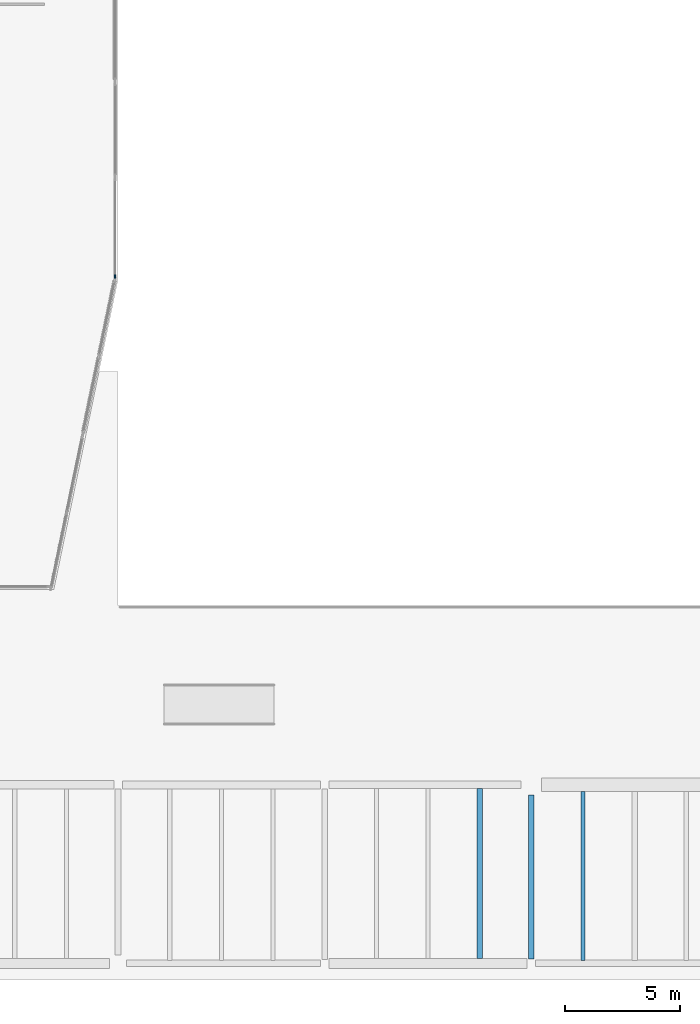
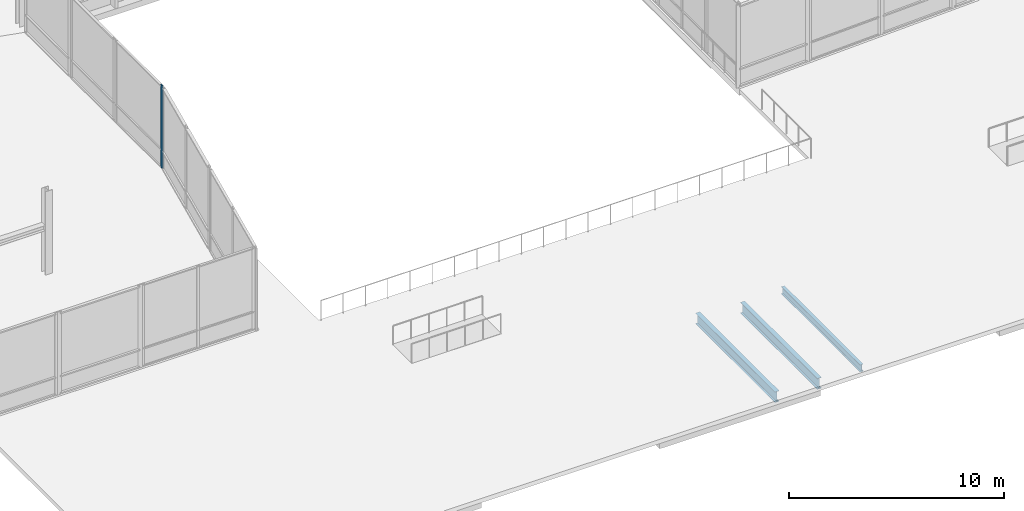
# One storey, part 19 of 88: 3 beams, 1 member, 1 element without a shape of its own.
"""IFC4 building model written with IfcOpenShell, lengths in metres."""

from ifc_helpers import new_model, si_unit, direction, frame, origin, origin_2d, place, context, subcontext, project, spatial, rectangle, i_section, extrude, material, material_profile, profile_set, type_object, element, aggregate, save


model = new_model("IFC4")

# Units and contexts
model_context = context("Model", 3, precision=1e-05, world=origin(), true_north=direction((0.0, 1.0)))
body_context = subcontext(model_context, "Body", "Model", "MODEL_VIEW")
ifc_project = project(units=[si_unit("LENGTHUNIT", "METRE"), si_unit("AREAUNIT", "SQUARE_METRE"), si_unit("VOLUMEUNIT", "CUBIC_METRE"), si_unit("PLANEANGLEUNIT", "RADIAN"), si_unit("MASSUNIT", "GRAM", prefix="KILO")], contexts=[model_context])

# Site, building, storey
site_placement = place(None, origin())
site = spatial("IfcSite", under=ifc_project, at=site_placement, CompositionType="ELEMENT")
building_placement = place(site_placement, origin())
building = spatial("IfcBuilding", under=site, at=building_placement, Name="Trimount Lyric Opera House", CompositionType="ELEMENT")
storey_placement = place(building_placement, origin())
storey = spatial("IfcBuildingStorey", under=building, at=storey_placement, Name="L00", CompositionType="ELEMENT", Elevation=0.0)

# Beams
ifc_material_1 = material(Name="Steel ASTM A992 Grade 50", Category="steel")
ifc_material_profile_1 = material_profile(ifc_material_1, i_section(OverallWidth=0.22998046875, OverallDepth=0.616943359375, WebThickness=0.01318359375, FlangeThickness=0.022216796875, FilletRadius=0.013916015625, at=origin_2d()), Name="W24X94")
ifc_profile_set_1 = profile_set([ifc_material_profile_1], Name="Steel ASTM A992 Grade 50")
beam_type_1 = type_object("IfcBeamType", Name="B-11", PredefinedType="BEAM", material=ifc_profile_set_1)
beam_1_placement = place(storey_placement, frame((36.0, 0.904052734375, -0.548583984375), z_axis=(0.0, 1.0, 0.0), x_axis=(-1.0, 0.0, 0.0)))
element("IfcBeam", 1, at=beam_1_placement, inside=storey, type_object=beam_type_1, Name="L00 girder Y-0277", PredefinedType="BEAM", context=body_context, shape_type="SweptSolid", body=[
    extrude(i_section(OverallWidth=0.22998046875, OverallDepth=0.616943359375, WebThickness=0.01318359375, FlangeThickness=0.022216796875, FilletRadius=0.013916015625, at=origin_2d()), origin(), (0.0, 0.0, 1.0), 7.14599609375),
])
ifc_material_2 = material(Name="Steel ASTM A992 Grade 50", Category="steel")
ifc_material_profile_2 = material_profile(ifc_material_2, i_section(OverallWidth=0.22802734375, OverallDepth=0.60205078125, WebThickness=0.010498046875, FlangeThickness=0.014892578125, FilletRadius=0.012939453125, at=origin_2d()), Name="W24X68")
ifc_profile_set_2 = profile_set([ifc_material_profile_2], Name="Steel ASTM A992 Grade 50")
beam_type_2 = type_object("IfcBeamType", Name="J-01", PredefinedType="BEAM", material=ifc_profile_set_2)
beam_2_placement = place(storey_placement, frame((33.75, 0.94091796875, -0.541015625), z_axis=(0.0, 1.0, 0.0), x_axis=(-1.0, 0.0, 0.0)))
element("IfcBeam", 2, at=beam_2_placement, inside=storey, type_object=beam_type_2, Name="L00 composite floor joist 0084", PredefinedType="BEAM", context=body_context, shape_type="SweptSolid", body=[
    extrude(i_section(OverallWidth=0.22802734375, OverallDepth=0.60205078125, WebThickness=0.010498046875, FlangeThickness=0.014892578125, FilletRadius=0.012939453125, at=origin_2d()), origin(), (0.0, 0.0, 1.0), 7.399169921875),
])
ifc_material_3 = material(Name="Steel ASTM A992 Grade 50", Category="steel")
ifc_material_profile_3 = material_profile(ifc_material_3, i_section(OverallWidth=0.177978515625, OverallDepth=0.404052734375, WebThickness=0.007568359375, FlangeThickness=0.010986328125, FilletRadius=0.010009765625, at=origin_2d()), Name="W16X36")
ifc_profile_set_3 = profile_set([ifc_material_profile_3], Name="Steel ASTM A992 Grade 50")
beam_type_3 = type_object("IfcBeamType", Name="J-06", PredefinedType="BEAM", material=ifc_profile_set_3)
beam_3_placement = place(storey_placement, frame((38.25, 0.85693359375, -0.44189453125), z_axis=(0.0, 1.0, 0.0), x_axis=(-1.0, 0.0, 0.0)))
element("IfcBeam", 3, at=beam_3_placement, inside=storey, type_object=beam_type_3, Name="L00 composite floor joist 0098", PredefinedType="BEAM", context=body_context, shape_type="SweptSolid", body=[
    extrude(i_section(OverallWidth=0.177978515625, OverallDepth=0.404052734375, WebThickness=0.007568359375, FlangeThickness=0.010986328125, FilletRadius=0.010009765625, at=origin_2d()), origin(), (0.0, 0.0, 1.0), 7.34716796875),
])

# Curtain wall, member
ifc_material_4 = material(Name="Thermally Broken Aluminium and Low-E Glass", Category="aluminium")
curtain_wall_type = type_object("IfcCurtainWallType", Name="CW-04", PredefinedType="NOTDEFINED", material=ifc_material_4)
curtain_wall_placement = place(storey_placement, origin())
curtain_wall = element("IfcCurtainWall", 4, at=curtain_wall_placement, inside=storey, type_object=curtain_wall_type, Name="L00 curtain wall 035", PredefinedType="NOTDEFINED")
ifc_material_5 = material(Name="Anodised Aluminium 6063-T6", Category="aluminium")
ifc_material_profile_4 = material_profile(ifc_material_5, rectangle(XDim=0.06005859375, YDim=0.14990234375, at=origin_2d()), Name="ALU-MULL-60X150")
ifc_profile_set_4 = profile_set([ifc_material_profile_4], Name="Anodised Aluminium 6063-T6")
member_type = type_object("IfcMemberType", Name="ML-03", PredefinedType="MULLION", material=ifc_profile_set_4)
member_placement = place(storey_placement, frame((17.860107421875, 30.64794921875, 0.0), z_axis=(0.0, 0.0, 1.0), x_axis=(1.0, 0.0, 0.0)))
member = element("IfcMember", 5, at=member_placement, type_object=member_type, Name="CW-04 mullion 2", PredefinedType="MULLION", context=body_context, shape_type="SweptSolid", body=[
    extrude(rectangle(XDim=0.06005859375, YDim=0.14990234375, at=origin_2d()), origin(), (0.0, 0.0, 1.0), 4.719970703125),
])
aggregate(curtain_wall, [member])

save(model, "model.ifc")
